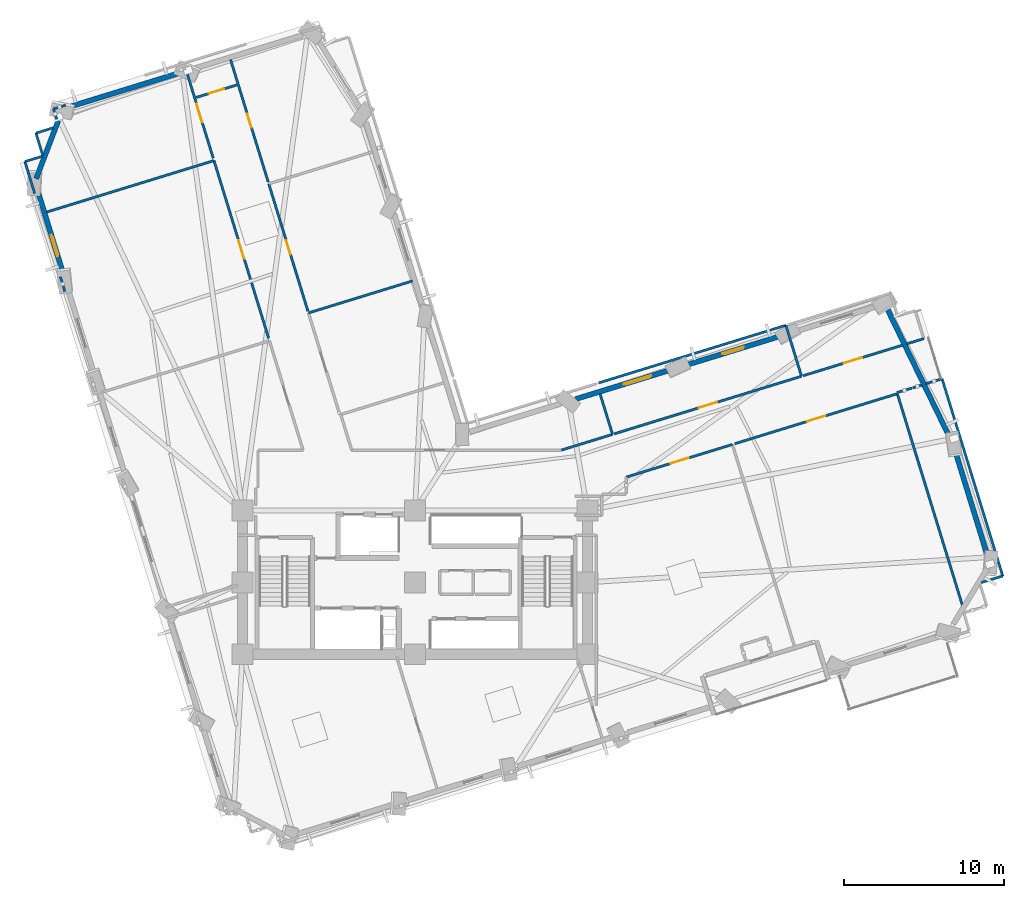
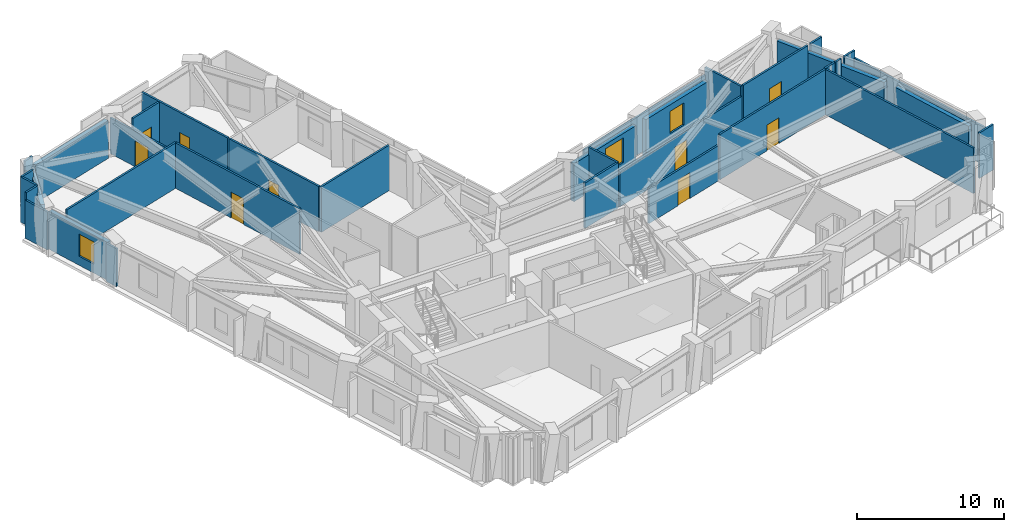
# One storey, part 9 of 14: 36 walls, 9 doors, 3 windows, 12 openings.
"""IFC4 building model written with IfcOpenShell, lengths in metres."""

from ifc_helpers import new_model, si_unit, direction, frame, frame_2d, origin, place, context, subcontext, project, spatial, rectangle, extrude, material, layer, layer_set, type_object, element, fill, save


model = new_model("IFC4")

# Units and contexts
model_context = context("Model", 3, precision=1e-05, world=origin(), true_north=direction((0.0, 1.0)))
body_context = subcontext(model_context, "Body", "Model", "MODEL_VIEW")
ifc_project = project(units=[si_unit("LENGTHUNIT", "METRE"), si_unit("AREAUNIT", "SQUARE_METRE"), si_unit("VOLUMEUNIT", "CUBIC_METRE"), si_unit("PLANEANGLEUNIT", "RADIAN"), si_unit("MASSUNIT", "GRAM", prefix="KILO")], contexts=[model_context])

# Site, building, storey
site_placement = place(None, origin())
site = spatial("IfcSite", under=ifc_project, at=site_placement, CompositionType="ELEMENT")
building_placement = place(site_placement, origin())
building = spatial("IfcBuilding", under=site, at=building_placement, Name="Gaonmaruhae Medical Tower", CompositionType="ELEMENT")
storey_placement = place(building_placement, frame((0.0, 0.0, 96.39990234375)))
storey = spatial("IfcBuildingStorey", under=building, at=storey_placement, Name="L22", CompositionType="ELEMENT", Elevation=96.39990234375)

# Walls
ifc_material_1 = material(Name="Precast concrete C45/55", Category="concrete")
ifc_layer_1 = layer(ifc_material_1, 0.320068359375)
ifc_layer_set_1 = layer_set([ifc_layer_1], Name="Precast concrete C45/55")
wall_type_1 = type_object("IfcWallType", Name="EW-320 Lower Precast Masonry-Frame Facade Wall", PredefinedType="SOLIDWALL", material=ifc_layer_set_1)
wall_1_placement = place(storey_placement, frame((58.5859375, 20.6123046875, 0.0), z_axis=(0.0, 0.0, 1.0), x_axis=(0.294040701416, -0.955792899069, 0.0)))
element("IfcWall", 1, at=wall_1_placement, inside=storey, type_object=wall_type_1, Name="L22 Precast Masonry-Frame Wall E01-E02", PredefinedType="SOLIDWALL", context=body_context, shape_type="SweptSolid", body=[
    extrude(rectangle(XDim=6.840087890625, YDim=0.320068359375, at=frame_2d((3.419921875, 0.0))), origin(), (0.0, 0.0, 1.0), 3.1650390625),
])
wall_2_placement = place(storey_placement, frame((54.35302734375, 29.43798828125, 0.0), z_axis=(0.0, 0.0, 1.0), x_axis=(0.436640831381, -0.899635917675, 0.0)))
element("IfcWall", 2, at=wall_2_placement, inside=storey, type_object=wall_type_1, Name="L22 Precast Masonry-Frame Wall E02-E03", PredefinedType="SOLIDWALL", context=body_context, shape_type="SweptSolid", body=[
    extrude(rectangle(XDim=8.837646484375, YDim=0.320068359375, at=frame_2d((4.4189453125, 0.0))), origin(), (0.0, 0.0, 1.0), 3.1650390625),
])

# Wall, opening, window
wall_3_placement = place(storey_placement, frame((41.74169921875, 25.89208984375, 0.0), z_axis=(0.0, 0.0, 1.0), x_axis=(0.955782399792, 0.294074827635, 0.0)))
wall_3 = element("IfcWall", 3, at=wall_3_placement, inside=storey, type_object=wall_type_1, Name="L22 Precast Masonry-Frame Wall EN01-EN02", PredefinedType="SOLIDWALL", context=body_context, shape_type="SweptSolid", body=[
    extrude(rectangle(XDim=6.2265625, YDim=0.320068359375, at=frame_2d((3.11328125, 0.0))), origin(), (0.0, 0.0, 1.0), 3.14501953125),
])
opening_1_placement = place(wall_3_placement, frame((2.410400390625, 0.0, 0.75)))
opening_1 = element("IfcOpeningElement", 4, at=opening_1_placement, cuts=wall_3, Name="Opening WN-03", PredefinedType="OPENING", context=body_context, shape_type="SweptSolid", body=[
    extrude(rectangle(XDim=1.39990234375, YDim=1.85009765625, at=frame_2d((0.699951171875, 0.925048828125))), frame((0.0, 0.169921875, 0.0), z_axis=(0.0, -1.0, 0.0), x_axis=(1.0, 0.0, 0.0)), (0.0, 0.0, 1.0), 0.340087890625),
])
ifc_material_2 = material(Name="Anodised aluminium and Low-E double glazing", Category="aluminium")
window_type_1 = type_object("IfcWindowType", Name="WN-03 Isolation Ward Punched Window 1400x1850", PartitioningType="SINGLE_PANEL", PredefinedType="WINDOW", material=ifc_material_2)
window_1_placement = place(opening_1_placement, origin())
window_1 = element("IfcWindow", 5, at=window_1_placement, inside=storey, type_object=window_type_1, Name="L22 Modular Facade Window EN01", OverallHeight=1.85009765625, OverallWidth=1.39990234375, PartitioningType="SINGLE_PANEL", PredefinedType="WINDOW", context=body_context, shape_type="SweptSolid", body=[
    extrude(rectangle(XDim=1.39990234375, YDim=1.85009765625, at=frame_2d((0.699951171875, 0.925048828125))), frame((0.0, 0.030029296875, 0.0), z_axis=(0.0, -1.0, 0.0), x_axis=(1.0, 0.0, 0.0)), (0.0, 0.0, 1.0), 0.06005859375),
])
fill(opening_1, window_1)

wall_4_placement = place(storey_placement, frame((34.8642578125, 23.776611328125, 0.0), z_axis=(0.0, 0.0, 1.0), x_axis=(0.955799403791, 0.294019556685, 0.0)))
wall_4 = element("IfcWall", 6, at=wall_4_placement, inside=storey, type_object=wall_type_1, Name="L22 Precast Masonry-Frame Wall EN02-EN03", PredefinedType="SOLIDWALL", context=body_context, shape_type="SweptSolid", body=[
    extrude(rectangle(XDim=6.2109375, YDim=0.320068359375, at=frame_2d((3.10546875, 0.0))), origin(), (0.0, 0.0, 1.0), 3.1650390625),
])
opening_2_placement = place(wall_4_placement, frame((3.143798828125, 0.0, 0.75)))
opening_2 = element("IfcOpeningElement", 7, at=opening_2_placement, cuts=wall_4, Name="Opening WN-04", PredefinedType="OPENING", context=body_context, shape_type="SweptSolid", body=[
    extrude(rectangle(XDim=1.800048828125, YDim=2.050048828125, at=frame_2d((0.89990234375, 1.02490234375))), frame((0.0, 0.169921875, 0.0), z_axis=(0.0, -1.0, 0.0), x_axis=(1.0, 0.0, 0.0)), (0.0, 0.0, 1.0), 0.340087890625),
])
window_type_2 = type_object("IfcWindowType", Name="WN-04 Clinic & Consult Punched Window 1800x2050", PartitioningType="SINGLE_PANEL", PredefinedType="WINDOW", material=ifc_material_2)
window_2_placement = place(opening_2_placement, origin())
window_2 = element("IfcWindow", 8, at=window_2_placement, inside=storey, type_object=window_type_2, Name="L22 Modular Facade Window EN02", OverallHeight=2.050048828125, OverallWidth=1.800048828125, PartitioningType="SINGLE_PANEL", PredefinedType="WINDOW", context=body_context, shape_type="SweptSolid", body=[
    extrude(rectangle(XDim=1.800048828125, YDim=2.050048828125, at=frame_2d((0.89990234375, 1.02490234375))), frame((0.0, 0.030029296875, 0.0), z_axis=(0.0, -1.0, 0.0), x_axis=(1.0, 0.0, 0.0)), (0.0, 0.0, 1.0), 0.06005859375),
])
fill(opening_2, window_2)

# Walls
wall_5_placement = place(storey_placement, frame((2.979736328125, 42.007080078125, 0.0), z_axis=(0.0, 0.0, 1.0), x_axis=(0.955793529239, 0.294038653012, 0.0)))
element("IfcWall", 9, at=wall_5_placement, inside=storey, type_object=wall_type_1, Name="L22 Precast Masonry-Frame Wall N02-N03", PredefinedType="SOLIDWALL", context=body_context, shape_type="SweptSolid", body=[
    extrude(rectangle(XDim=7.27001953125, YDim=0.320068359375, at=frame_2d((3.635009765625, 0.0))), origin(), (0.0, 0.0, 1.0), 3.1650390625),
])
wall_6_placement = place(storey_placement, frame((1.085693359375, 37.56689453125, 0.0), z_axis=(0.0, 0.0, 1.0), x_axis=(0.355515016124, 0.934670569404, 0.0)))
element("IfcWall", 10, at=wall_6_placement, inside=storey, type_object=wall_type_1, Name="L22 Precast Masonry-Frame Wall N03-W01", PredefinedType="SOLIDWALL", context=body_context, shape_type="SweptSolid", body=[
    extrude(rectangle(XDim=3.8896484375, YDim=0.320068359375, at=frame_2d((1.94482421875, 0.0))), origin(), (0.0, 0.0, 1.0), 3.1650390625),
])

# Wall, opening, window
wall_7_placement = place(storey_placement, frame((2.820068359375, 31.497314453125, 0.0), z_axis=(0.0, 0.0, 1.0), x_axis=(-0.294044969851, 0.955791585915, 0.0)))
wall_7 = element("IfcWall", 11, at=wall_7_placement, inside=storey, type_object=wall_type_1, Name="L22 Precast Masonry-Frame Wall W01-W02", PredefinedType="SOLIDWALL", context=body_context, shape_type="SweptSolid", body=[
    extrude(rectangle(XDim=5.455810546875, YDim=0.320068359375, at=frame_2d((2.72802734375, 0.0))), origin(), (0.0, 0.0, 1.0), 3.1650390625),
])
opening_3_placement = place(wall_7_placement, frame((1.260498046875, 0.0, 0.75)))
opening_3 = element("IfcOpeningElement", 12, at=opening_3_placement, cuts=wall_7, Name="Opening WN-03", PredefinedType="OPENING", context=body_context, shape_type="SweptSolid", body=[
    extrude(rectangle(XDim=1.39990234375, YDim=1.85009765625, at=frame_2d((0.699951171875, 0.925048828125))), frame((0.0, 0.169921875, 0.0), z_axis=(0.0, -1.0, 0.0), x_axis=(1.0, 0.0, 0.0)), (0.0, 0.0, 1.0), 0.340087890625),
])
window_3_placement = place(opening_3_placement, origin())
window_3 = element("IfcWindow", 13, at=window_3_placement, inside=storey, type_object=window_type_1, Name="L22 Modular Facade Window W01", OverallHeight=1.85009765625, OverallWidth=1.39990234375, PartitioningType="SINGLE_PANEL", PredefinedType="WINDOW", context=body_context, shape_type="SweptSolid", body=[
    extrude(rectangle(XDim=1.39990234375, YDim=1.85009765625, at=frame_2d((0.699951171875, 0.925048828125))), frame((0.0, 0.030029296875, 0.0), z_axis=(0.0, -1.0, 0.0), x_axis=(1.0, 0.0, 0.0)), (0.0, 0.0, 1.0), 0.06005859375),
])
fill(opening_3, window_3)

# Wall, opening, door
ifc_material_3 = material(Name="Gypsum board partition", Category="gypsum")
ifc_layer_2 = layer(ifc_material_3, 0.14990234375)
ifc_layer_set_2 = layer_set([ifc_layer_2], Name="Gypsum board partition")
wall_type_2 = type_object("IfcWallType", Name="PW-150 Rated Clinical Corridor Partition", PredefinedType="PARTITIONING", material=ifc_layer_set_2)
wall_8_placement = place(storey_placement, frame((38.030029296875, 18.89111328125, 0.0), z_axis=(0.0, 0.0, 1.0), x_axis=(0.955772926222, 0.294105616236, 0.0)))
wall_8 = element("IfcWall", 14, at=wall_8_placement, inside=storey, type_object=wall_type_2, Name="L22 Interior Partition L22-SUP03-27", PredefinedType="PARTITIONING", context=body_context, shape_type="SweptSolid", body=[
    extrude(rectangle(XDim=6.943115234375, YDim=0.14990234375, at=frame_2d((3.4716796875, 0.0))), origin(), (0.0, 0.0, 1.0), 2.945068359375),
])
opening_4_placement = place(wall_8_placement, frame((2.87158203125, 0.0, 0.0)))
opening_4 = element("IfcOpeningElement", 15, at=opening_4_placement, cuts=wall_8, Name="Opening CD-02", PredefinedType="OPENING", context=body_context, shape_type="SweptSolid", body=[
    extrude(rectangle(XDim=1.199951171875, YDim=2.14990234375, at=frame_2d((0.60009765625, 1.074951171875))), frame((0.0, 0.0849609375, 0.0), z_axis=(0.0, -1.0, 0.0), x_axis=(1.0, 0.0, 0.0)), (0.0, 0.0, 1.0), 0.169921875),
])
ifc_material_4 = material(Name="Antimicrobial laminate timber fire door", Category="wood")
door_type_1 = type_object("IfcDoorType", Name="CD-02 Clinical Treatment & Procedure Door 1200x2150", OperationType="NOTDEFINED", PredefinedType="DOOR", material=ifc_material_4)
door_1_placement = place(opening_4_placement, origin())
door_1 = element("IfcDoor", 16, at=door_1_placement, inside=storey, type_object=door_type_1, Name="L22 Clinical Biomedical Charting Office Door", OperationType="SINGLE_SWING_RIGHT", OverallHeight=2.14990234375, OverallWidth=1.199951171875, PredefinedType="DOOR", context=body_context, shape_type="SweptSolid", body=[
    extrude(rectangle(XDim=1.199951171875, YDim=2.14990234375, at=frame_2d((0.60009765625, 1.074951171875))), frame((0.0, 0.02490234375, 0.0), z_axis=(0.0, -1.0, 0.0), x_axis=(1.0, 0.0, 0.0)), (0.0, 0.0, 1.0), 0.050048828125),
])
fill(opening_4, door_1)

wall_9_placement = place(storey_placement, frame((44.819091796875, 20.97998046875, 0.0), z_axis=(0.0, 0.0, 1.0), x_axis=(0.955786946021, 0.294060051378, 0.0)))
wall_9 = element("IfcWall", 17, at=wall_9_placement, inside=storey, type_object=wall_type_2, Name="L22 Interior Partition L22-SUP04-35", PredefinedType="PARTITIONING", context=body_context, shape_type="SweptSolid", body=[
    extrude(rectangle(XDim=10.640380859375, YDim=0.14990234375, at=frame_2d((5.3203125, 0.0))), origin(), (0.0, 0.0, 1.0), 3.780029296875),
])
opening_5_placement = place(wall_9_placement, frame((4.72021484375, 0.0, 0.0)))
opening_5 = element("IfcOpeningElement", 18, at=opening_5_placement, cuts=wall_9, Name="Opening CD-02", PredefinedType="OPENING", context=body_context, shape_type="SweptSolid", body=[
    extrude(rectangle(XDim=1.199951171875, YDim=2.14990234375, at=frame_2d((0.60009765625, 1.074951171875))), frame((0.0, 0.0849609375, 0.0), z_axis=(0.0, -1.0, 0.0), x_axis=(1.0, 0.0, 0.0)), (0.0, 0.0, 1.0), 0.169921875),
])
door_2_placement = place(opening_5_placement, origin())
door_2 = element("IfcDoor", 19, at=door_2_placement, inside=storey, type_object=door_type_1, Name="L22 Clinical Biomedical Charting Office Door", OperationType="SINGLE_SWING_LEFT", OverallHeight=2.14990234375, OverallWidth=1.199951171875, PredefinedType="DOOR", context=body_context, shape_type="SweptSolid", body=[
    extrude(rectangle(XDim=1.199951171875, YDim=2.14990234375, at=frame_2d((0.60009765625, 1.074951171875))), frame((0.0, 0.02490234375, 0.0), z_axis=(0.0, -1.0, 0.0), x_axis=(1.0, 0.0, 0.0)), (0.0, 0.0, 1.0), 0.050048828125),
])
fill(opening_5, door_2)

# Walls
wall_10_placement = place(storey_placement, frame((55.00390625, 24.06103515625, 0.0), z_axis=(0.0, 0.0, 1.0), x_axis=(0.294018711163, -0.955799663887, 0.0)))
element("IfcWall", 20, at=wall_10_placement, inside=storey, type_object=wall_type_2, Name="L22 Interior Partition L22-SUP04-36", PredefinedType="PARTITIONING", context=body_context, shape_type="SweptSolid", body=[
    extrude(rectangle(XDim=13.798828125, YDim=0.14990234375, at=frame_2d((6.8994140625, 0.0))), origin(), (0.0, 0.0, 1.0), 3.780029296875),
])
wall_11_placement = place(storey_placement, frame((1.737060546875, 35.47802734375, 0.0), z_axis=(0.0, 0.0, 1.0), x_axis=(0.955797782575, 0.294024826886, 0.0)))
element("IfcWall", 21, at=wall_11_placement, inside=storey, type_object=wall_type_2, Name="L22 Interior Partition L22-WOF06-47", PredefinedType="PARTITIONING", context=body_context, shape_type="SweptSolid", body=[
    extrude(rectangle(XDim=10.964599609375, YDim=0.14990234375, at=frame_2d((5.482421875, 0.0))), origin(), (0.0, 0.0, 1.0), 3.780029296875),
])

# Wall, opening, door
wall_12_placement = place(storey_placement, frame((12.217041015625, 38.701904296875, 0.0), z_axis=(0.0, 0.0, 1.0), x_axis=(0.294068161841, -0.955784450696, 0.0)))
wall_12 = element("IfcWall", 22, at=wall_12_placement, inside=storey, type_object=wall_type_2, Name="L22 Interior Partition L22-WOF06-48", PredefinedType="PARTITIONING", context=body_context, shape_type="SweptSolid", body=[
    extrude(rectangle(XDim=11.6396484375, YDim=0.14990234375, at=frame_2d((5.81982421875, 0.0))), origin(), (0.0, 0.0, 1.0), 3.780029296875),
])
opening_6_placement = place(wall_12_placement, frame((5.2197265625, 0.0, 0.0)))
opening_6 = element("IfcOpeningElement", 23, at=opening_6_placement, cuts=wall_12, Name="Opening CD-02", PredefinedType="OPENING", context=body_context, shape_type="SweptSolid", body=[
    extrude(rectangle(XDim=1.199951171875, YDim=2.14990234375, at=frame_2d((0.60009765625, 1.074951171875))), frame((0.0, 0.0849609375, 0.0), z_axis=(0.0, -1.0, 0.0), x_axis=(1.0, 0.0, 0.0)), (0.0, 0.0, 1.0), 0.169921875),
])
door_3_placement = place(opening_6_placement, origin())
door_3 = element("IfcDoor", 24, at=door_3_placement, inside=storey, type_object=door_type_1, Name="L22 Ward Physician Reporting Office Door", OperationType="SINGLE_SWING_LEFT", OverallHeight=2.14990234375, OverallWidth=1.199951171875, PredefinedType="DOOR", context=body_context, shape_type="SweptSolid", body=[
    extrude(rectangle(XDim=1.199951171875, YDim=2.14990234375, at=frame_2d((0.60009765625, 1.074951171875))), frame((0.0, 0.02490234375, 0.0), z_axis=(0.0, -1.0, 0.0), x_axis=(1.0, 0.0, 0.0)), (0.0, 0.0, 1.0), 0.050048828125),
])
fill(opening_6, door_3)

# Walls
wall_13_placement = place(storey_placement, frame((2.883056640625, 30.510986328125, 0.0), z_axis=(0.0, 0.0, 1.0), x_axis=(-0.294282108484, 0.955718599079, 0.0)))
element("IfcWall", 25, at=wall_13_placement, inside=storey, type_object=wall_type_2, Name="L22 Interior Partition L22-WOF06-50", PredefinedType="PARTITIONING", context=body_context, shape_type="SweptSolid", body=[
    extrude(rectangle(XDim=0.96142578125, YDim=0.14990234375, at=frame_2d((0.480712890625, 0.0))), origin(), (0.0, 0.0, 1.0), 3.1650390625),
])
wall_14_placement = place(storey_placement, frame((1.06689453125, 40.425048828125, 0.0), z_axis=(0.0, 0.0, 1.0), x_axis=(0.955816062407, 0.29396539736, 0.0)))
element("IfcWall", 26, at=wall_14_placement, inside=storey, type_object=wall_type_2, Name="L22 Interior Partition L22-WOF07-51", PredefinedType="PARTITIONING", context=body_context, shape_type="SweptSolid", body=[
    extrude(rectangle(XDim=1.139404296875, YDim=0.14990234375, at=frame_2d((0.56982421875, 0.0))), origin(), (0.0, 0.0, 1.0), 3.780029296875),
])
wall_15_placement = place(storey_placement, frame((2.368896484375, 41.2939453125, 0.0), z_axis=(0.0, 0.0, 1.0), x_axis=(-0.293012731131, 0.956108539547, 0.0)))
element("IfcWall", 27, at=wall_15_placement, inside=storey, type_object=wall_type_2, Name="L22 Interior Partition L22-WOF07-52", PredefinedType="PARTITIONING", context=body_context, shape_type="SweptSolid", body=[
    extrude(rectangle(XDim=0.671630859375, YDim=0.14990234375, at=frame_2d((0.3359375, 0.0))), origin(), (0.0, 0.0, 1.0), 2.965087890625),
])
wall_16_placement = place(storey_placement, frame((2.172119140625, 41.93603515625, 0.0), z_axis=(0.0, 0.0, 1.0), x_axis=(0.955872177554, 0.293782879313, 0.0)))
element("IfcWall", 28, at=wall_16_placement, inside=storey, type_object=wall_type_2, Name="L22 Interior Partition L22-WOF07-53", PredefinedType="PARTITIONING", context=body_context, shape_type="SweptSolid", body=[
    extrude(rectangle(XDim=0.792724609375, YDim=0.14990234375, at=frame_2d((0.396484375, 0.0))), origin(), (0.0, 0.0, 1.0), 3.780029296875),
])

# Wall, opening, door
wall_17_placement = place(storey_placement, frame((10.43896484375, 44.47998046875, 0.0), z_axis=(0.0, 0.0, 1.0), x_axis=(0.294114998969, -0.955770038964, 0.0)))
wall_17 = element("IfcWall", 29, at=wall_17_placement, inside=storey, type_object=wall_type_2, Name="L22 Interior Partition L22-WOF07-55", PredefinedType="PARTITIONING", context=body_context, shape_type="SweptSolid", body=[
    extrude(rectangle(XDim=5.88525390625, YDim=0.14990234375, at=frame_2d((2.942626953125, 0.0))), origin(), (0.0, 0.0, 1.0), 2.965087890625),
])
opening_7_placement = place(wall_17_placement, frame((2.3427734375, 0.0, 0.0)))
opening_7 = element("IfcOpeningElement", 30, at=opening_7_placement, cuts=wall_17, Name="Opening CD-02", PredefinedType="OPENING", context=body_context, shape_type="SweptSolid", body=[
    extrude(rectangle(XDim=1.199951171875, YDim=2.14990234375, at=frame_2d((0.60009765625, 1.074951171875))), frame((0.0, 0.0849609375, 0.0), z_axis=(0.0, -1.0, 0.0), x_axis=(1.0, 0.0, 0.0)), (0.0, 0.0, 1.0), 0.169921875),
])
door_4_placement = place(opening_7_placement, origin())
door_4 = element("IfcDoor", 31, at=door_4_placement, inside=storey, type_object=door_type_1, Name="L22 Ward Physician Reporting Office Door", OperationType="SINGLE_SWING_RIGHT", OverallHeight=2.14990234375, OverallWidth=1.199951171875, PredefinedType="DOOR", context=body_context, shape_type="SweptSolid", body=[
    extrude(rectangle(XDim=1.199951171875, YDim=2.14990234375, at=frame_2d((0.60009765625, 1.074951171875))), frame((0.0, 0.02490234375, 0.0), z_axis=(0.0, -1.0, 0.0), x_axis=(1.0, 0.0, 0.0)), (0.0, 0.0, 1.0), 0.050048828125),
])
fill(opening_7, door_4)

# Walls
wall_18_placement = place(storey_placement, frame((0.99609375, 36.64404296875, 0.0), z_axis=(0.0, 0.0, 1.0), x_axis=(-0.293913664135, 0.955831971653, 0.0)))
element("IfcWall", 32, at=wall_18_placement, inside=storey, type_object=wall_type_2, Name="L22 Interior Partition L22-WOF07-56", PredefinedType="PARTITIONING", context=body_context, shape_type="SweptSolid", body=[
    extrude(rectangle(XDim=2.092529296875, YDim=0.14990234375, at=frame_2d((1.04638671875, 0.0))), origin(), (0.0, 0.0, 1.0), 3.1650390625),
])
wall_19_placement = place(storey_placement, frame((0.381103515625, 38.64404296875, 0.0), z_axis=(0.0, 0.0, 1.0), x_axis=(0.955834090857, 0.293906772217, 0.0)))
element("IfcWall", 33, at=wall_19_placement, inside=storey, type_object=wall_type_2, Name="L22 Interior Partition L22-WOF07-57", PredefinedType="PARTITIONING", context=body_context, shape_type="SweptSolid", body=[
    extrude(rectangle(XDim=1.149658203125, YDim=0.14990234375, at=frame_2d((0.57470703125, 0.0))), origin(), (0.0, 0.0, 1.0), 3.780029296875),
])
wall_20_placement = place(storey_placement, frame((1.4970703125, 39.029052734375, 0.0), z_axis=(0.0, 0.0, 1.0), x_axis=(-0.29448513117, 0.955656061311, 0.0)))
element("IfcWall", 34, at=wall_20_placement, inside=storey, type_object=wall_type_2, Name="L22 Interior Partition L22-WOF07-58", PredefinedType="PARTITIONING", context=body_context, shape_type="SweptSolid", body=[
    extrude(rectangle(XDim=1.460693359375, YDim=0.14990234375, at=frame_2d((0.73046875, 0.0))), origin(), (0.0, 0.0, 1.0), 3.780029296875),
])
wall_21_placement = place(storey_placement, frame((36.384033203125, 24.10302734375, 0.0), z_axis=(0.0, 0.0, 1.0), x_axis=(0.294105230009, -0.955773045069, 0.0)))
element("IfcWall", 35, at=wall_21_placement, inside=storey, type_object=wall_type_2, Name="L22 Interior Partition L22-IE01-59", PredefinedType="PARTITIONING", context=body_context, shape_type="SweptSolid", body=[
    extrude(rectangle(XDim=2.655517578125, YDim=0.14990234375, at=frame_2d((1.32763671875, 0.0))), origin(), (0.0, 0.0, 1.0), 3.780029296875),
])
wall_22_placement = place(storey_placement, frame((37.1650390625, 21.56494140625, 0.0), z_axis=(0.0, 0.0, 1.0), x_axis=(-0.955838846993, -0.293891304022, 0.0)))
element("IfcWall", 36, at=wall_22_placement, inside=storey, type_object=wall_type_2, Name="L22 Interior Partition L22-IE01-60", PredefinedType="PARTITIONING", context=body_context, shape_type="SweptSolid", body=[
    extrude(rectangle(XDim=3.35107421875, YDim=0.14990234375, at=frame_2d((1.675537109375, 0.0))), origin(), (0.0, 0.0, 1.0), 3.780029296875),
])

# Wall, opening, door
wall_23_placement = place(storey_placement, frame((48.993896484375, 25.2041015625, 0.0), z_axis=(0.0, 0.0, 1.0), x_axis=(-0.955791928213, -0.294043857208, 0.0)))
wall_23 = element("IfcWall", 37, at=wall_23_placement, inside=storey, type_object=wall_type_2, Name="L22 Interior Partition L22-IE02-66", PredefinedType="PARTITIONING", context=body_context, shape_type="SweptSolid", body=[
    extrude(rectangle(XDim=12.256591796875, YDim=0.14990234375, at=frame_2d((6.12841796875, 0.0))), origin(), (0.0, 0.0, 1.0), 2.945068359375),
])
opening_8_placement = place(wall_23_placement, frame((5.5283203125, 0.0, 0.0)))
opening_8 = element("IfcOpeningElement", 38, at=opening_8_placement, cuts=wall_23, Name="Opening CD-02", PredefinedType="OPENING", context=body_context, shape_type="SweptSolid", body=[
    extrude(rectangle(XDim=1.199951171875, YDim=2.14990234375, at=frame_2d((0.60009765625, 1.074951171875))), frame((0.0, 0.0849609375, 0.0), z_axis=(0.0, -1.0, 0.0), x_axis=(1.0, 0.0, 0.0)), (0.0, 0.0, 1.0), 0.169921875),
])
door_5_placement = place(opening_8_placement, origin())
door_5 = element("IfcDoor", 39, at=door_5_placement, inside=storey, type_object=door_type_1, Name="L22 Acute Treatment Examination Room Door", OperationType="SINGLE_SWING_LEFT", OverallHeight=2.14990234375, OverallWidth=1.199951171875, PredefinedType="DOOR", context=body_context, shape_type="SweptSolid", body=[
    extrude(rectangle(XDim=1.199951171875, YDim=2.14990234375, at=frame_2d((0.60009765625, 1.074951171875))), frame((0.0, 0.02490234375, 0.0), z_axis=(0.0, -1.0, 0.0), x_axis=(1.0, 0.0, 0.0)), (0.0, 0.0, 1.0), 0.050048828125),
])
fill(opening_8, door_5)

# Walls
wall_24_placement = place(storey_placement, frame((36.297119140625, 24.79296875, 0.0), z_axis=(0.0, 0.0, 1.0), x_axis=(0.955791928213, 0.294043857208, 0.0)))
element("IfcWall", 40, at=wall_24_placement, inside=storey, type_object=wall_type_2, Name="L22 Interior Partition L22-IE02-67", PredefinedType="PARTITIONING", context=body_context, shape_type="SweptSolid", body=[
    extrude(rectangle(XDim=12.256591796875, YDim=0.14990234375, at=frame_2d((6.12841796875, 0.0))), origin(), (0.0, 0.0, 1.0), 3.14501953125),
])
wall_25_placement = place(storey_placement, frame((48.011962890625, 28.39697265625, 0.0), z_axis=(0.0, 0.0, 1.0), x_axis=(0.293952315678, -0.955820085637, 0.0)))
element("IfcWall", 41, at=wall_25_placement, inside=storey, type_object=wall_type_2, Name="L22 Interior Partition L22-IE02-68", PredefinedType="PARTITIONING", context=body_context, shape_type="SweptSolid", body=[
    extrude(rectangle(XDim=3.34033203125, YDim=0.14990234375, at=frame_2d((1.670166015625, 0.0))), origin(), (0.0, 0.0, 1.0), 3.780029296875),
])
wall_26_placement = place(storey_placement, frame((56.64794921875, 27.55908203125, 0.0), z_axis=(0.0, 0.0, 1.0), x_axis=(-0.955797815321, -0.294024720436, 0.0)))
element("IfcWall", 42, at=wall_26_placement, inside=storey, type_object=wall_type_2, Name="L22 Interior Partition L22-IE03-69", PredefinedType="PARTITIONING", context=body_context, shape_type="SweptSolid", body=[
    extrude(rectangle(XDim=1.12255859375, YDim=0.14990234375, at=frame_2d((0.561279296875, 0.0))), origin(), (0.0, 0.0, 1.0), 3.780029296875),
])

# Wall, opening, door
wall_27_placement = place(storey_placement, frame((55.31396484375, 27.14892578125, 0.0), z_axis=(0.0, 0.0, 1.0), x_axis=(-0.955805833241, -0.293998655001, 0.0)))
wall_27 = element("IfcWall", 43, at=wall_27_placement, inside=storey, type_object=wall_type_2, Name="L22 Interior Partition L22-IE03-70", PredefinedType="PARTITIONING", context=body_context, shape_type="SweptSolid", body=[
    extrude(rectangle(XDim=6.492919921875, YDim=0.14990234375, at=frame_2d((3.24658203125, 0.0))), origin(), (0.0, 0.0, 1.0), 3.780029296875),
])
opening_9_placement = place(wall_27_placement, frame((2.646484375, 0.0, 0.0)))
opening_9 = element("IfcOpeningElement", 44, at=opening_9_placement, cuts=wall_27, Name="Opening CD-02", PredefinedType="OPENING", context=body_context, shape_type="SweptSolid", body=[
    extrude(rectangle(XDim=1.199951171875, YDim=2.14990234375, at=frame_2d((0.60009765625, 1.074951171875))), frame((0.0, 0.0849609375, 0.0), z_axis=(0.0, -1.0, 0.0), x_axis=(1.0, 0.0, 0.0)), (0.0, 0.0, 1.0), 0.169921875),
])
door_6_placement = place(opening_9_placement, origin())
door_6 = element("IfcDoor", 45, at=door_6_placement, inside=storey, type_object=door_type_1, Name="L22 Clean Medication Preparation Room Door", OperationType="SINGLE_SWING_LEFT", OverallHeight=2.14990234375, OverallWidth=1.199951171875, PredefinedType="DOOR", context=body_context, shape_type="SweptSolid", body=[
    extrude(rectangle(XDim=1.199951171875, YDim=2.14990234375, at=frame_2d((0.60009765625, 1.074951171875))), frame((0.0, 0.02490234375, 0.0), z_axis=(0.0, -1.0, 0.0), x_axis=(1.0, 0.0, 0.0)), (0.0, 0.0, 1.0), 0.050048828125),
])
fill(opening_9, door_6)

# Wall
wall_28_placement = place(storey_placement, frame((18.133056640625, 29.1650390625, 0.0), z_axis=(0.0, 0.0, 1.0), x_axis=(0.95579449844, 0.294035502537, 0.0)))
element("IfcWall", 46, at=wall_28_placement, inside=storey, type_object=wall_type_2, Name="L22 Interior Partition L22-IN01-76", PredefinedType="PARTITIONING", context=body_context, shape_type="SweptSolid", body=[
    extrude(rectangle(XDim=6.815185546875, YDim=0.14990234375, at=frame_2d((3.40771484375, 0.0))), origin(), (0.0, 0.0, 1.0), 3.780029296875),
])

# Wall, opening, door
wall_29_placement = place(storey_placement, frame((18.096923828125, 29.280029296875, 0.0), z_axis=(0.0, 0.0, 1.0), x_axis=(-0.29400973267, 0.955802425763, 0.0)))
wall_29 = element("IfcWall", 47, at=wall_29_placement, inside=storey, type_object=wall_type_2, Name="L22 Interior Partition L22-IN02-78", PredefinedType="PARTITIONING", context=body_context, shape_type="SweptSolid", body=[
    extrude(rectangle(XDim=8.339599609375, YDim=0.14990234375, at=frame_2d((4.169921875, 0.0))), origin(), (0.0, 0.0, 1.0), 3.780029296875),
])
opening_10_placement = place(wall_29_placement, frame((3.709716796875, 0.0, 0.0)))
opening_10 = element("IfcOpeningElement", 48, at=opening_10_placement, cuts=wall_29, Name="Opening UD-01", PredefinedType="OPENING", context=body_context, shape_type="SweptSolid", body=[
    extrude(rectangle(XDim=0.919921875, YDim=2.10009765625, at=frame_2d((0.4599609375, 1.050048828125))), frame((0.0, 0.0849609375, 0.0), z_axis=(0.0, -1.0, 0.0), x_axis=(1.0, 0.0, 0.0)), (0.0, 0.0, 1.0), 0.169921875),
])
ifc_material_5 = material(Name="Powder-coated steel utility door", Category="steel")
door_type_2 = type_object("IfcDoorType", Name="UD-01 Toilet, Utility & Housekeeping Door 920x2100", OperationType="NOTDEFINED", PredefinedType="DOOR", material=ifc_material_5)
door_7_placement = place(opening_10_placement, origin())
door_7 = element("IfcDoor", 49, at=door_7_placement, inside=storey, type_object=door_type_2, Name="L22 Ward Nutrition Pantry Door", OperationType="SINGLE_SWING_LEFT", OverallHeight=2.10009765625, OverallWidth=0.919921875, PredefinedType="DOOR", context=body_context, shape_type="SweptSolid", body=[
    extrude(rectangle(XDim=0.919921875, YDim=2.10009765625, at=frame_2d((0.4599609375, 1.050048828125))), frame((0.0, 0.02490234375, 0.0), z_axis=(0.0, -1.0, 0.0), x_axis=(1.0, 0.0, 0.0)), (0.0, 0.0, 1.0), 0.050048828125),
])
fill(opening_10, door_7)

wall_30_placement = place(storey_placement, frame((15.610107421875, 37.365966796875, 0.0), z_axis=(0.0, 0.0, 1.0), x_axis=(-0.294006641811, 0.955803376522, 0.0)))
wall_30 = element("IfcWall", 50, at=wall_30_placement, inside=storey, type_object=wall_type_2, Name="L22 Interior Partition L22-IN03-83", PredefinedType="PARTITIONING", context=body_context, shape_type="SweptSolid", body=[
    extrude(rectangle(XDim=8.01416015625, YDim=0.14990234375, at=frame_2d((4.007080078125, 0.0))), origin(), (0.0, 0.0, 1.0), 3.780029296875),
])
opening_11_placement = place(wall_30_placement, frame((3.547119140625, 0.0, 0.0)))
opening_11 = element("IfcOpeningElement", 51, at=opening_11_placement, cuts=wall_30, Name="Opening UD-01", PredefinedType="OPENING", context=body_context, shape_type="SweptSolid", body=[
    extrude(rectangle(XDim=0.919921875, YDim=2.10009765625, at=frame_2d((0.4599609375, 1.050048828125))), frame((0.0, 0.0849609375, 0.0), z_axis=(0.0, -1.0, 0.0), x_axis=(1.0, 0.0, 0.0)), (0.0, 0.0, 1.0), 0.169921875),
])
door_8_placement = place(opening_11_placement, origin())
door_8 = element("IfcDoor", 52, at=door_8_placement, inside=storey, type_object=door_type_2, Name="L22 Public Visitor Toilet Door", OperationType="SINGLE_SWING_LEFT", OverallHeight=2.10009765625, OverallWidth=0.919921875, PredefinedType="DOOR", context=body_context, shape_type="SweptSolid", body=[
    extrude(rectangle(XDim=0.919921875, YDim=2.10009765625, at=frame_2d((0.4599609375, 1.050048828125))), frame((0.0, 0.02490234375, 0.0), z_axis=(0.0, -1.0, 0.0), x_axis=(1.0, 0.0, 0.0)), (0.0, 0.0, 1.0), 0.050048828125),
])
fill(opening_11, door_8)

wall_31_placement = place(storey_placement, frame((13.637939453125, 43.43408203125, 0.0), z_axis=(0.0, 0.0, 1.0), x_axis=(-0.955812865114, -0.29397579302, 0.0)))
wall_31 = element("IfcWall", 53, at=wall_31_placement, inside=storey, type_object=wall_type_2, Name="L22 Interior Partition L22-RM01-87", PredefinedType="PARTITIONING", context=body_context, shape_type="SweptSolid", body=[
    extrude(rectangle(XDim=2.650146484375, YDim=0.14990234375, at=frame_2d((1.3251953125, 0.0))), origin(), (0.0, 0.0, 1.0), 3.780029296875),
])
opening_12_placement = place(wall_31_placement, frame((0.824951171875, 0.0, 0.0)))
opening_12 = element("IfcOpeningElement", 54, at=opening_12_placement, cuts=wall_31, Name="Opening CD-01", PredefinedType="OPENING", context=body_context, shape_type="SweptSolid", body=[
    extrude(rectangle(XDim=1.0, YDim=2.1201171875, at=frame_2d((0.5, 1.06005859375))), frame((0.0, 0.0849609375, 0.0), z_axis=(0.0, -1.0, 0.0), x_axis=(1.0, 0.0, 0.0)), (0.0, 0.0, 1.0), 0.169921875),
])
door_type_3 = type_object("IfcDoorType", Name="CD-01 Consultation & Physician Office Door 1000x2120", OperationType="NOTDEFINED", PredefinedType="DOOR", material=ifc_material_4)
door_9_placement = place(opening_12_placement, origin())
door_9 = element("IfcDoor", 55, at=door_9_placement, inside=storey, type_object=door_type_3, Name="L22 Clinical Case Review Office Door", OperationType="SINGLE_SWING_RIGHT", OverallHeight=2.1201171875, OverallWidth=1.0, PredefinedType="DOOR", context=body_context, shape_type="SweptSolid", body=[
    extrude(rectangle(XDim=1.0, YDim=2.1201171875, at=frame_2d((0.5, 1.06005859375))), frame((0.0, 0.02490234375, 0.0), z_axis=(0.0, -1.0, 0.0), x_axis=(1.0, 0.0, 0.0)), (0.0, 0.0, 1.0), 0.050048828125),
])
fill(opening_12, door_9)

# Walls
wall_32_placement = place(storey_placement, frame((54.968017578125, 24.176025390625, 0.0), z_axis=(0.0, 0.0, 1.0), x_axis=(0.955843603332, 0.293875834271, 0.0)))
element("IfcWall", 56, at=wall_32_placement, inside=storey, type_object=wall_type_2, Name="L22 Interior Partition L22-RM02-89", PredefinedType="PARTITIONING", context=body_context, shape_type="SweptSolid", body=[
    extrude(rectangle(XDim=0.980224609375, YDim=0.14990234375, at=frame_2d((0.490234375, 0.0))), origin(), (0.0, 0.0, 1.0), 3.780029296875),
])
wall_33_placement = place(storey_placement, frame((55.9619140625, 24.48095703125, 0.0), z_axis=(0.0, 0.0, 1.0), x_axis=(0.95584172242, 0.29388195195, 0.0)))
element("IfcWall", 57, at=wall_33_placement, inside=storey, type_object=wall_type_2, Name="L22 Interior Partition L22-RM03-95", PredefinedType="PARTITIONING", context=body_context, shape_type="SweptSolid", body=[
    extrude(rectangle(XDim=0.589111328125, YDim=0.14990234375, at=frame_2d((0.29443359375, 0.0))), origin(), (0.0, 0.0, 1.0), 3.780029296875),
])
wall_34_placement = place(storey_placement, frame((56.785888671875, 24.735107421875, 0.0), z_axis=(0.0, 0.0, 1.0), x_axis=(0.955873764291, 0.293777716548, 0.0)))
element("IfcWall", 58, at=wall_34_placement, inside=storey, type_object=wall_type_2, Name="L22 Interior Partition L22-RM03-96", PredefinedType="PARTITIONING", context=body_context, shape_type="SweptSolid", body=[
    extrude(rectangle(XDim=1.057861328125, YDim=0.14990234375, at=frame_2d((0.52880859375, 0.0))), origin(), (0.0, 0.0, 1.0), 3.780029296875),
])
wall_35_placement = place(storey_placement, frame((57.797119140625, 25.0458984375, 0.0), z_axis=(0.0, 0.0, 1.0), x_axis=(0.294027422774, -0.955796984018, 0.0)))
element("IfcWall", 59, at=wall_35_placement, inside=storey, type_object=wall_type_2, Name="L22 Interior Partition L22-RM03-97", PredefinedType="PARTITIONING", context=body_context, shape_type="SweptSolid", body=[
    extrude(rectangle(XDim=12.919921875, YDim=0.14990234375, at=frame_2d((6.4599609375, 0.0))), origin(), (0.0, 0.0, 1.0), 3.1650390625),
])
wall_36_placement = place(storey_placement, frame((61.595947265625, 12.697021484375, 0.0), z_axis=(0.0, 0.0, 1.0), x_axis=(-0.955808707238, -0.293989311317, 0.0)))
element("IfcWall", 60, at=wall_36_placement, inside=storey, type_object=wall_type_2, Name="L22 Interior Partition L22-RM03-98", PredefinedType="PARTITIONING", context=body_context, shape_type="SweptSolid", body=[
    extrude(rectangle(XDim=1.421630859375, YDim=0.14990234375, at=frame_2d((0.7109375, 0.0))), origin(), (0.0, 0.0, 1.0), 3.780029296875),
])

save(model, "model.ifc")
